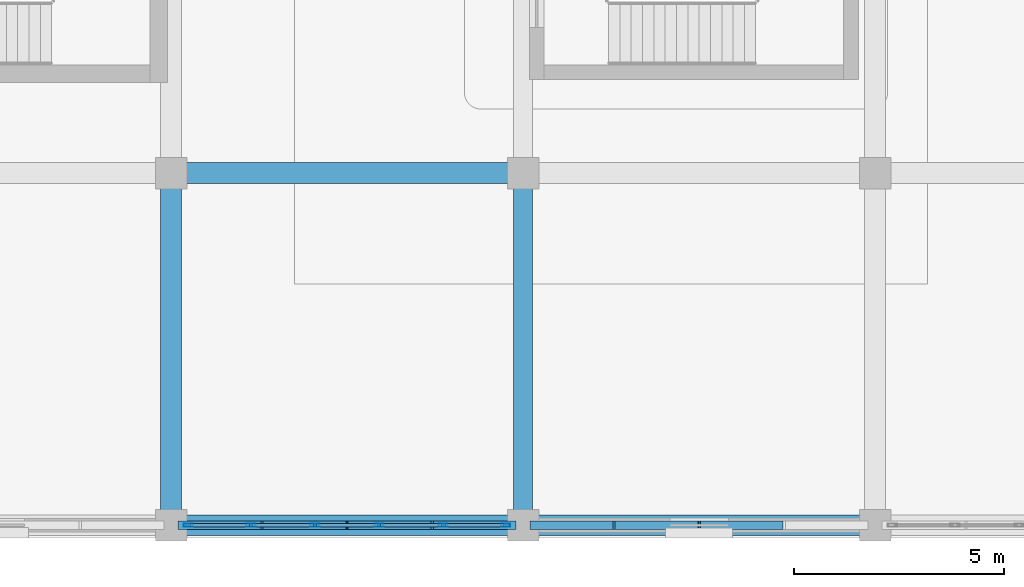
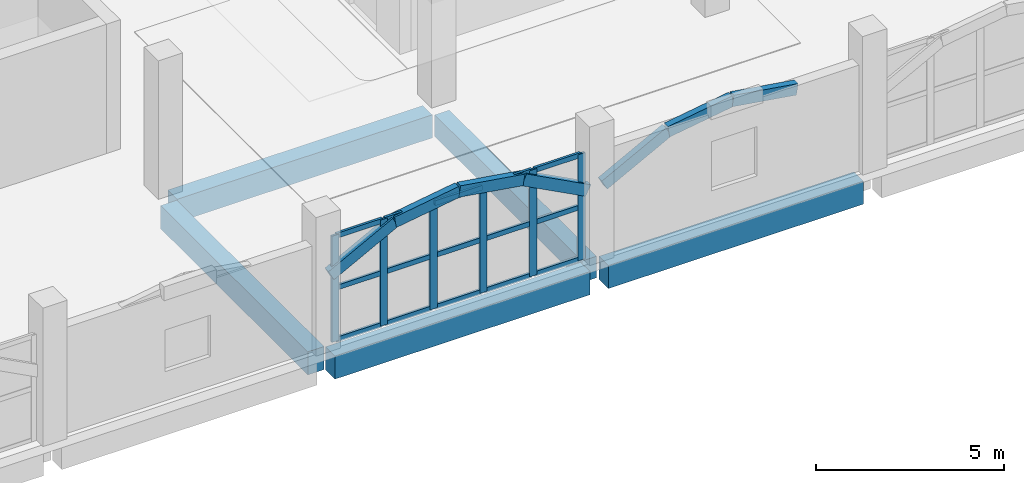
# One storey, part 5 of 34: 28 members, 5 beams, 1 element without a shape of its own.
"""IFC4 building model written with IfcOpenShell, lengths in metres."""

from ifc_helpers import new_model, si_unit, direction, frame, origin, origin_2d, place, context, subcontext, project, spatial, rectangle, hollow_rectangle, extrude, material, layer, layer_set, material_profile, profile_set, type_object, element, aggregate, save


model = new_model("IFC4")

# Units and contexts
model_context = context("Model", 3, precision=1e-05, world=origin(), true_north=direction((0.0, 1.0)))
body_context = subcontext(model_context, "Body", "Model", "MODEL_VIEW")
ifc_project = project(units=[si_unit("LENGTHUNIT", "METRE"), si_unit("AREAUNIT", "SQUARE_METRE"), si_unit("VOLUMEUNIT", "CUBIC_METRE"), si_unit("PLANEANGLEUNIT", "RADIAN"), si_unit("MASSUNIT", "GRAM", prefix="KILO")], contexts=[model_context])

# Site, building, storey
site_placement = place(None, origin())
site = spatial("IfcSite", under=ifc_project, at=site_placement, CompositionType="ELEMENT")
building_placement = place(site_placement, origin())
building = spatial("IfcBuilding", under=site, at=building_placement, Name="Xazarin Passage Department Store", CompositionType="ELEMENT")
storey_placement = place(building_placement, frame((0.0, 0.0, 18.89990234375)))
storey = spatial("IfcBuildingStorey", under=building, at=storey_placement, Name="L04", CompositionType="ELEMENT", Elevation=18.89990234375)

# Curtain wall, members
ifc_material_1 = material(Name="Bronze anodised aluminium", Category="aluminium")
ifc_layer = layer(ifc_material_1, 0.199951171875)
ifc_layer_set = layer_set([ifc_layer], Name="Bronze anodised aluminium")
curtain_wall_type = type_object("IfcCurtainWallType", Name="ARC-CW-VIT2", PredefinedType="NOTDEFINED", material=ifc_layer_set)
curtain_wall_placement = place(storey_placement, origin())
curtain_wall = element("IfcCurtainWall", 1, at=curtain_wall_placement, inside=storey, type_object=curtain_wall_type, Name="L04 V1 Curtain Wall 068", PredefinedType="NOTDEFINED")
ifc_material_profile_1 = material_profile(ifc_material_1, hollow_rectangle(XDim=0.074951171875, YDim=0.219970703125, WallThickness=0.0048828125, at=origin_2d()), Name="ALU 75x220")
ifc_profile_set_1 = profile_set([ifc_material_profile_1], Name="Bronze anodised aluminium")
member_type_1 = type_object("IfcMemberType", Name="ARC-CWM-75x220", PredefinedType="MULLION", material=ifc_profile_set_1)
member_1_placement = place(storey_placement, frame((17.21240234375, 68.0, 0.0), z_axis=(0.0, 0.0, 1.0), x_axis=(0.0, 1.0, 0.0)))
member_1 = element("IfcMember", 2, at=member_1_placement, type_object=member_type_1, Name="CW2 mullion 1", PredefinedType="MULLION", context=body_context, shape_type="SweptSolid", body=[
    extrude(hollow_rectangle(XDim=0.074951171875, YDim=0.219970703125, WallThickness=0.0048828125, at=origin_2d()), origin(), (0.0, 0.0, 1.0), 3.4501953125),
])
member_2_placement = place(storey_placement, frame((18.705078125, 68.0, 0.0), z_axis=(0.0, 0.0, 1.0), x_axis=(0.0, 1.0, 0.0)))
member_2 = element("IfcMember", 3, at=member_2_placement, type_object=member_type_1, Name="CW2 mullion 2", PredefinedType="MULLION", context=body_context, shape_type="SweptSolid", body=[
    extrude(hollow_rectangle(XDim=0.074951171875, YDim=0.219970703125, WallThickness=0.0048828125, at=origin_2d()), origin(), (0.0, 0.0, 1.0), 3.4501953125),
])
member_3_placement = place(storey_placement, frame((20.235107421875, 68.0, 0.0), z_axis=(0.0, 0.0, 1.0), x_axis=(0.0, 1.0, 0.0)))
member_3 = element("IfcMember", 4, at=member_3_placement, type_object=member_type_1, Name="CW2 mullion 3", PredefinedType="MULLION", context=body_context, shape_type="SweptSolid", body=[
    extrude(hollow_rectangle(XDim=0.074951171875, YDim=0.219970703125, WallThickness=0.0048828125, at=origin_2d()), origin(), (0.0, 0.0, 1.0), 3.4501953125),
])
member_4_placement = place(storey_placement, frame((21.764892578125, 68.0, 0.0), z_axis=(0.0, 0.0, 1.0), x_axis=(0.0, 1.0, 0.0)))
member_4 = element("IfcMember", 5, at=member_4_placement, type_object=member_type_1, Name="CW2 mullion 4", PredefinedType="MULLION", context=body_context, shape_type="SweptSolid", body=[
    extrude(hollow_rectangle(XDim=0.074951171875, YDim=0.219970703125, WallThickness=0.0048828125, at=origin_2d()), origin(), (0.0, 0.0, 1.0), 3.4501953125),
])
member_5_placement = place(storey_placement, frame((23.294921875, 68.0, 0.0), z_axis=(0.0, 0.0, 1.0), x_axis=(0.0, 1.0, 0.0)))
member_5 = element("IfcMember", 6, at=member_5_placement, type_object=member_type_1, Name="CW2 mullion 5", PredefinedType="MULLION", context=body_context, shape_type="SweptSolid", body=[
    extrude(hollow_rectangle(XDim=0.074951171875, YDim=0.219970703125, WallThickness=0.0048828125, at=origin_2d()), origin(), (0.0, 0.0, 1.0), 3.4501953125),
])
member_6_placement = place(storey_placement, frame((24.78759765625, 68.0, 0.0), z_axis=(0.0, 0.0, 1.0), x_axis=(0.0, 1.0, 0.0)))
member_6 = element("IfcMember", 7, at=member_6_placement, type_object=member_type_1, Name="CW2 mullion 6", PredefinedType="MULLION", context=body_context, shape_type="SweptSolid", body=[
    extrude(hollow_rectangle(XDim=0.074951171875, YDim=0.219970703125, WallThickness=0.0048828125, at=origin_2d()), origin(), (0.0, 0.0, 1.0), 3.4501953125),
])
ifc_material_profile_2 = material_profile(ifc_material_1, hollow_rectangle(XDim=0.074951171875, YDim=0.159912109375, WallThickness=0.00439453125, at=origin_2d()), Name="ALU 75x160")
ifc_profile_set_2 = profile_set([ifc_material_profile_2], Name="Bronze anodised aluminium")
member_type_2 = type_object("IfcMemberType", Name="ARC-CWT-75x160", PredefinedType="USERDEFINED", material=ifc_profile_set_2)
member_7_placement = place(storey_placement, frame((17.25, 68.0, 0.03759765625), z_axis=(1.0, 0.0, 0.0), x_axis=(0.0, 1.0, 0.0)))
member_7 = element("IfcMember", 8, at=member_7_placement, type_object=member_type_2, Name="CW2 transom 1.1", ObjectType="TRANSOM", PredefinedType="USERDEFINED", context=body_context, shape_type="SweptSolid", body=[
    extrude(hollow_rectangle(XDim=0.074951171875, YDim=0.159912109375, WallThickness=0.00439453125, at=origin_2d()), origin(), (0.0, 0.0, 1.0), 1.41748046875),
])
member_8_placement = place(storey_placement, frame((17.25, 68.0, 1.72509765625), z_axis=(1.0, 0.0, 0.0), x_axis=(0.0, 1.0, 0.0)))
member_8 = element("IfcMember", 9, at=member_8_placement, type_object=member_type_2, Name="CW2 transom 1.2", ObjectType="TRANSOM", PredefinedType="USERDEFINED", context=body_context, shape_type="SweptSolid", body=[
    extrude(hollow_rectangle(XDim=0.074951171875, YDim=0.159912109375, WallThickness=0.00439453125, at=origin_2d()), origin(), (0.0, 0.0, 1.0), 1.41748046875),
])
member_9_placement = place(storey_placement, frame((17.25, 68.0, 3.41259765625), z_axis=(1.0, 0.0, 0.0), x_axis=(0.0, 1.0, 0.0)))
member_9 = element("IfcMember", 10, at=member_9_placement, type_object=member_type_2, Name="CW2 transom 1.3", ObjectType="TRANSOM", PredefinedType="USERDEFINED", context=body_context, shape_type="SweptSolid", body=[
    extrude(hollow_rectangle(XDim=0.074951171875, YDim=0.159912109375, WallThickness=0.00439453125, at=origin_2d()), origin(), (0.0, 0.0, 1.0), 1.41748046875),
])
member_10_placement = place(storey_placement, frame((18.742431640625, 68.0, 0.03759765625), z_axis=(1.0, 0.0, 0.0), x_axis=(0.0, 1.0, 0.0)))
member_10 = element("IfcMember", 11, at=member_10_placement, type_object=member_type_2, Name="CW2 transom 2.1", ObjectType="TRANSOM", PredefinedType="USERDEFINED", context=body_context, shape_type="SweptSolid", body=[
    extrude(hollow_rectangle(XDim=0.074951171875, YDim=0.159912109375, WallThickness=0.00439453125, at=origin_2d()), origin(), (0.0, 0.0, 1.0), 1.455078125),
])
member_11_placement = place(storey_placement, frame((18.742431640625, 68.0, 1.72509765625), z_axis=(1.0, 0.0, 0.0), x_axis=(0.0, 1.0, 0.0)))
member_11 = element("IfcMember", 12, at=member_11_placement, type_object=member_type_2, Name="CW2 transom 2.2", ObjectType="TRANSOM", PredefinedType="USERDEFINED", context=body_context, shape_type="SweptSolid", body=[
    extrude(hollow_rectangle(XDim=0.074951171875, YDim=0.159912109375, WallThickness=0.00439453125, at=origin_2d()), origin(), (0.0, 0.0, 1.0), 1.455078125),
])
member_12_placement = place(storey_placement, frame((18.742431640625, 68.0, 3.41259765625), z_axis=(1.0, 0.0, 0.0), x_axis=(0.0, 1.0, 0.0)))
member_12 = element("IfcMember", 13, at=member_12_placement, type_object=member_type_2, Name="CW2 transom 2.3", ObjectType="TRANSOM", PredefinedType="USERDEFINED", context=body_context, shape_type="SweptSolid", body=[
    extrude(hollow_rectangle(XDim=0.074951171875, YDim=0.159912109375, WallThickness=0.00439453125, at=origin_2d()), origin(), (0.0, 0.0, 1.0), 1.455078125),
])
member_13_placement = place(storey_placement, frame((20.2724609375, 68.0, 0.03759765625), z_axis=(1.0, 0.0, 0.0), x_axis=(0.0, 1.0, 0.0)))
member_13 = element("IfcMember", 14, at=member_13_placement, type_object=member_type_2, Name="CW2 transom 3.1", ObjectType="TRANSOM", PredefinedType="USERDEFINED", context=body_context, shape_type="SweptSolid", body=[
    extrude(hollow_rectangle(XDim=0.074951171875, YDim=0.159912109375, WallThickness=0.00439453125, at=origin_2d()), origin(), (0.0, 0.0, 1.0), 1.455078125),
])
member_14_placement = place(storey_placement, frame((20.2724609375, 68.0, 1.72509765625), z_axis=(1.0, 0.0, 0.0), x_axis=(0.0, 1.0, 0.0)))
member_14 = element("IfcMember", 15, at=member_14_placement, type_object=member_type_2, Name="CW2 transom 3.2", ObjectType="TRANSOM", PredefinedType="USERDEFINED", context=body_context, shape_type="SweptSolid", body=[
    extrude(hollow_rectangle(XDim=0.074951171875, YDim=0.159912109375, WallThickness=0.00439453125, at=origin_2d()), origin(), (0.0, 0.0, 1.0), 1.455078125),
])
member_15_placement = place(storey_placement, frame((20.2724609375, 68.0, 3.41259765625), z_axis=(1.0, 0.0, 0.0), x_axis=(0.0, 1.0, 0.0)))
member_15 = element("IfcMember", 16, at=member_15_placement, type_object=member_type_2, Name="CW2 transom 3.3", ObjectType="TRANSOM", PredefinedType="USERDEFINED", context=body_context, shape_type="SweptSolid", body=[
    extrude(hollow_rectangle(XDim=0.074951171875, YDim=0.159912109375, WallThickness=0.00439453125, at=origin_2d()), origin(), (0.0, 0.0, 1.0), 1.455078125),
])
member_16_placement = place(storey_placement, frame((21.802490234375, 68.0, 0.03759765625), z_axis=(1.0, 0.0, 0.0), x_axis=(0.0, 1.0, 0.0)))
member_16 = element("IfcMember", 17, at=member_16_placement, type_object=member_type_2, Name="CW2 transom 4.1", ObjectType="TRANSOM", PredefinedType="USERDEFINED", context=body_context, shape_type="SweptSolid", body=[
    extrude(hollow_rectangle(XDim=0.074951171875, YDim=0.159912109375, WallThickness=0.00439453125, at=origin_2d()), origin(), (0.0, 0.0, 1.0), 1.455078125),
])
member_17_placement = place(storey_placement, frame((21.802490234375, 68.0, 1.72509765625), z_axis=(1.0, 0.0, 0.0), x_axis=(0.0, 1.0, 0.0)))
member_17 = element("IfcMember", 18, at=member_17_placement, type_object=member_type_2, Name="CW2 transom 4.2", ObjectType="TRANSOM", PredefinedType="USERDEFINED", context=body_context, shape_type="SweptSolid", body=[
    extrude(hollow_rectangle(XDim=0.074951171875, YDim=0.159912109375, WallThickness=0.00439453125, at=origin_2d()), origin(), (0.0, 0.0, 1.0), 1.455078125),
])
member_18_placement = place(storey_placement, frame((21.802490234375, 68.0, 3.41259765625), z_axis=(1.0, 0.0, 0.0), x_axis=(0.0, 1.0, 0.0)))
member_18 = element("IfcMember", 19, at=member_18_placement, type_object=member_type_2, Name="CW2 transom 4.3", ObjectType="TRANSOM", PredefinedType="USERDEFINED", context=body_context, shape_type="SweptSolid", body=[
    extrude(hollow_rectangle(XDim=0.074951171875, YDim=0.159912109375, WallThickness=0.00439453125, at=origin_2d()), origin(), (0.0, 0.0, 1.0), 1.455078125),
])
member_19_placement = place(storey_placement, frame((23.33251953125, 68.0, 0.03759765625), z_axis=(1.0, 0.0, 0.0), x_axis=(0.0, 1.0, 0.0)))
member_19 = element("IfcMember", 20, at=member_19_placement, type_object=member_type_2, Name="CW2 transom 5.1", ObjectType="TRANSOM", PredefinedType="USERDEFINED", context=body_context, shape_type="SweptSolid", body=[
    extrude(hollow_rectangle(XDim=0.074951171875, YDim=0.159912109375, WallThickness=0.00439453125, at=origin_2d()), origin(), (0.0, 0.0, 1.0), 1.41748046875),
])
member_20_placement = place(storey_placement, frame((23.33251953125, 68.0, 1.72509765625), z_axis=(1.0, 0.0, 0.0), x_axis=(0.0, 1.0, 0.0)))
member_20 = element("IfcMember", 21, at=member_20_placement, type_object=member_type_2, Name="CW2 transom 5.2", ObjectType="TRANSOM", PredefinedType="USERDEFINED", context=body_context, shape_type="SweptSolid", body=[
    extrude(hollow_rectangle(XDim=0.074951171875, YDim=0.159912109375, WallThickness=0.00439453125, at=origin_2d()), origin(), (0.0, 0.0, 1.0), 1.41748046875),
])
member_21_placement = place(storey_placement, frame((23.33251953125, 68.0, 3.41259765625), z_axis=(1.0, 0.0, 0.0), x_axis=(0.0, 1.0, 0.0)))
member_21 = element("IfcMember", 22, at=member_21_placement, type_object=member_type_2, Name="CW2 transom 5.3", ObjectType="TRANSOM", PredefinedType="USERDEFINED", context=body_context, shape_type="SweptSolid", body=[
    extrude(hollow_rectangle(XDim=0.074951171875, YDim=0.159912109375, WallThickness=0.00439453125, at=origin_2d()), origin(), (0.0, 0.0, 1.0), 1.41748046875),
])
aggregate(curtain_wall, [member_1, member_2, member_3, member_4, member_5, member_6, member_7, member_8, member_9, member_10, member_11, member_12, member_13, member_14, member_15, member_16, member_17, member_18, member_19, member_20, member_21])

# Beams
ifc_material_2 = material(Name="Concrete C35/45", Category="concrete")
ifc_material_profile_3 = material_profile(ifc_material_2, rectangle(XDim=0.449951171875, YDim=0.699951171875, at=origin_2d()), Name="RC 450x700")
ifc_profile_set_3 = profile_set([ifc_material_profile_3], Name="Concrete C35/45")
beam_type_1 = type_object("IfcBeamType", Name="STR-BM-G450x700", PredefinedType="BEAM", material=ifc_profile_set_3)
beam_1_placement = place(storey_placement, frame((25.199951171875, 68.280029296875, -0.64990234375), z_axis=(0.0, 1.0, 0.0), x_axis=(-1.0, 0.0, 0.0)))
element("IfcBeam", 23, at=beam_1_placement, inside=storey, type_object=beam_type_1, Name="L04 Grid Beam 4/K-L", PredefinedType="BEAM", context=body_context, shape_type="SweptSolid", body=[
    extrude(rectangle(XDim=0.449951171875, YDim=0.699951171875, at=origin_2d()), origin(), (0.0, 0.0, 1.0), 7.840087890625),
])
ifc_material_profile_4 = material_profile(ifc_material_2, rectangle(XDim=0.5, YDim=0.75, at=origin_2d()), Name="RC 500x750")
ifc_profile_set_4 = profile_set([ifc_material_profile_4], Name="Concrete C35/45")
beam_type_2 = type_object("IfcBeamType", Name="STR-BM-SP500x750", PredefinedType="SPANDREL", material=ifc_profile_set_4)
beam_2_placement = place(storey_placement, frame((17.080078125, 68.0, -0.6748046875), z_axis=(1.0, 0.0, 0.0), x_axis=(0.0, 1.0, 0.0)))
element("IfcBeam", 24, at=beam_2_placement, inside=storey, type_object=beam_type_2, Name="L04 Grid Beam K/3-4", PredefinedType="SPANDREL", context=body_context, shape_type="SweptSolid", body=[
    extrude(rectangle(XDim=0.5, YDim=0.75, at=origin_2d()), origin(), (0.0, 0.0, 1.0), 7.83984375),
])
beam_3_placement = place(storey_placement, frame((25.47998046875, 68.0, -0.6748046875), z_axis=(1.0, 0.0, 0.0), x_axis=(0.0, 1.0, 0.0)))
element("IfcBeam", 25, at=beam_3_placement, inside=storey, type_object=beam_type_2, Name="L04 Grid Beam K/4-5", PredefinedType="SPANDREL", context=body_context, shape_type="SweptSolid", body=[
    extrude(rectangle(XDim=0.5, YDim=0.75, at=origin_2d()), origin(), (0.0, 0.0, 1.0), 7.840087890625),
])
beam_4_placement = place(storey_placement, frame((17.080078125, 76.39990234375, -0.6748046875), z_axis=(1.0, 0.0, 0.0), x_axis=(0.0, 1.0, 0.0)))
element("IfcBeam", 26, at=beam_4_placement, inside=storey, type_object=beam_type_2, Name="L04 Grid Beam L/3-4", PredefinedType="SPANDREL", context=body_context, shape_type="SweptSolid", body=[
    extrude(rectangle(XDim=0.5, YDim=0.75, at=origin_2d()), origin(), (0.0, 0.0, 1.0), 7.83984375),
])
beam_5_placement = place(storey_placement, frame((16.800048828125, 68.280029296875, -0.6748046875), z_axis=(0.0, 1.0, 0.0), x_axis=(-1.0, 0.0, 0.0)))
element("IfcBeam", 27, at=beam_5_placement, inside=storey, type_object=beam_type_2, Name="L04 Grid Beam 3/K-L", PredefinedType="SPANDREL", context=body_context, shape_type="SweptSolid", body=[
    extrude(rectangle(XDim=0.5, YDim=0.75, at=origin_2d()), origin(), (0.0, 0.0, 1.0), 7.840087890625),
])

# Members
ifc_material_3 = material(Name="Concrete C40/50", Category="concrete")
ifc_material_profile_5 = material_profile(ifc_material_3, rectangle(XDim=0.199951171875, YDim=0.360107421875, at=origin_2d()), Name="RC 200x360")
ifc_profile_set_5 = profile_set([ifc_material_profile_5], Name="Concrete C40/50")
member_type_3 = type_object("IfcMemberType", Name="STR-MEM-ARC360", PredefinedType="CHORD", material=ifc_profile_set_5)
member_22_placement = place(storey_placement, frame((17.050048828125, 68.0, 2.22998046875), z_axis=(0.884709354127, 0.0, 0.466143066793), x_axis=(0.0, 1.0, 0.0)))
element("IfcMember", 28, at=member_22_placement, inside=storey, type_object=member_type_3, Name="L04 V1 Upper Setback Pierced Arch 022.1", PredefinedType="CHORD", context=body_context, shape_type="SweptSolid", body=[
    extrude(rectangle(XDim=0.199951171875, YDim=0.360107421875, at=origin_2d()), origin(), (0.0, 0.0, 1.0), 2.232177734375),
])
for number, where, z_axis, x_axis, name in (
    (29, (19.02490234375, 68.0, 3.2705078125), (0.987938581312, 0.0, 0.154846244883), (0.0, 1.0, 0.0), "L04 V1 Upper Setback Pierced Arch 022.2"),
    (30, (21.0, 68.0, 3.580078125), (0.987938581312, 0.0, -0.154846244883), (0.0, 1.0, 0.0), "L04 V1 Upper Setback Pierced Arch 022.3"),
):
    element("IfcMember", number, at=place(storey_placement, frame(where, z_axis=z_axis, x_axis=x_axis)), inside=storey, type_object=member_type_3, Name=name, PredefinedType="CHORD", context=body_context, shape_type="SweptSolid", body=[
        extrude(rectangle(XDim=0.199951171875, YDim=0.360107421875, at=origin_2d()), origin(), (0.0, 0.0, 1.0), 1.999267578125),
    ])
member_23_placement = place(storey_placement, frame((22.97509765625, 68.0, 3.2705078125), z_axis=(0.884709354127, 0.0, -0.466143066793), x_axis=(0.0, 1.0, 0.0)))
element("IfcMember", 31, at=member_23_placement, inside=storey, type_object=member_type_3, Name="L04 V1 Upper Setback Pierced Arch 022.4", PredefinedType="CHORD", context=body_context, shape_type="SweptSolid", body=[
    extrude(rectangle(XDim=0.199951171875, YDim=0.360107421875, at=origin_2d()), origin(), (0.0, 0.0, 1.0), 2.232177734375),
])
member_24_placement = place(storey_placement, frame((25.449951171875, 68.0, 2.22998046875), z_axis=(0.88473311603, 0.0, 0.466097965454), x_axis=(0.0, 1.0, 0.0)))
element("IfcMember", 32, at=member_24_placement, inside=storey, type_object=member_type_3, Name="L04 V1 Upper Setback Pierced Arch 023.1", PredefinedType="CHORD", context=body_context, shape_type="SweptSolid", body=[
    extrude(rectangle(XDim=0.199951171875, YDim=0.360107421875, at=origin_2d()), origin(), (0.0, 0.0, 1.0), 2.232421875),
])
member_25_placement = place(storey_placement, frame((27.425048828125, 68.0, 3.2705078125), z_axis=(0.987935652704, 0.0, 0.154864928623), x_axis=(0.0, 1.0, 0.0)))
element("IfcMember", 33, at=member_25_placement, inside=storey, type_object=member_type_3, Name="L04 V1 Upper Setback Pierced Arch 023.2", PredefinedType="CHORD", context=body_context, shape_type="SweptSolid", body=[
    extrude(rectangle(XDim=0.199951171875, YDim=0.360107421875, at=origin_2d()), origin(), (0.0, 0.0, 1.0), 1.9990234375),
])
member_26_placement = place(storey_placement, frame((29.39990234375, 68.0, 3.580078125), z_axis=(0.987938581312, 0.0, -0.154846244883), x_axis=(0.0, 1.0, 0.0)))
element("IfcMember", 34, at=member_26_placement, inside=storey, type_object=member_type_3, Name="L04 V1 Upper Setback Pierced Arch 023.3", PredefinedType="CHORD", context=body_context, shape_type="SweptSolid", body=[
    extrude(rectangle(XDim=0.199951171875, YDim=0.360107421875, at=origin_2d()), origin(), (0.0, 0.0, 1.0), 1.999267578125),
])

save(model, "model.ifc")
